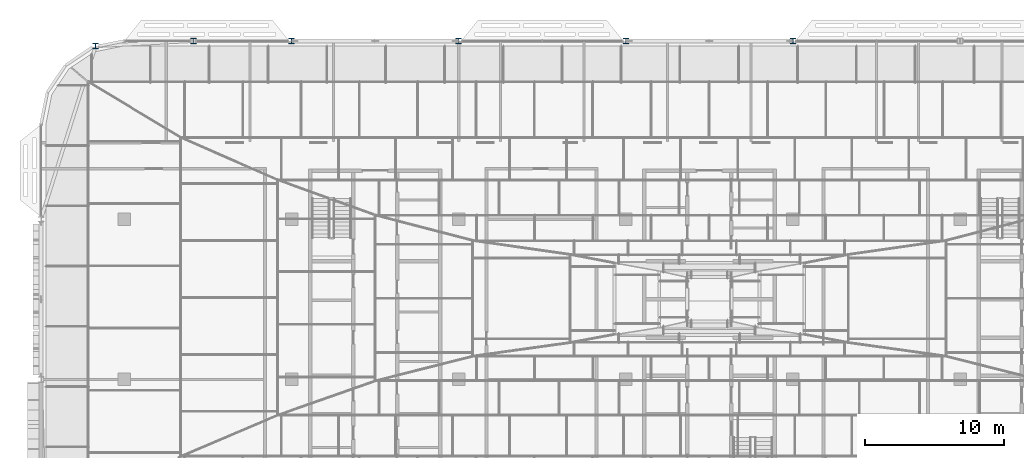
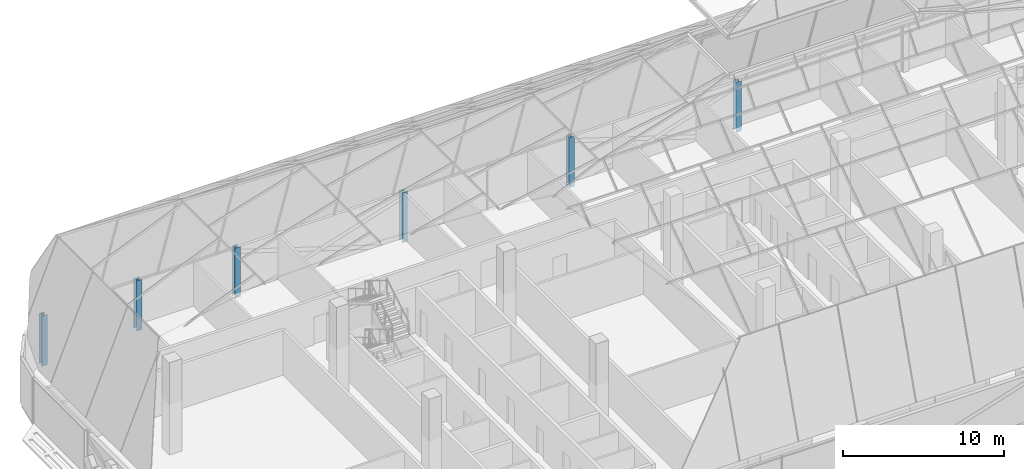
# One storey, part 3 of 39: 6 columns.
"""IFC4 building model written with IfcOpenShell, lengths in metres."""

from ifc_helpers import new_model, si_unit, direction, frame, origin, origin_2d, place, context, subcontext, project, spatial, i_section, extrude, material, material_profile, profile_set, type_object, element, save


model = new_model("IFC4")

# Units and contexts
model_context = context("Model", 3, precision=1e-05, world=origin(), true_north=direction((0.0, 1.0)))
body_context = subcontext(model_context, "Body", "Model", "MODEL_VIEW")
ifc_project = project(units=[si_unit("LENGTHUNIT", "METRE"), si_unit("AREAUNIT", "SQUARE_METRE"), si_unit("VOLUMEUNIT", "CUBIC_METRE"), si_unit("PLANEANGLEUNIT", "RADIAN"), si_unit("MASSUNIT", "GRAM", prefix="KILO")], contexts=[model_context])

# Site, building, storey
site_placement = place(None, origin())
site = spatial("IfcSite", under=ifc_project, at=site_placement, CompositionType="ELEMENT")
building_placement = place(site_placement, origin())
building = spatial("IfcBuilding", under=site, at=building_placement, Name="Mahtab Terrace Research Tower", CompositionType="ELEMENT")
storey_placement = place(building_placement, frame((0.0, 0.0, 282.300048828125)))
storey = spatial("IfcBuildingStorey", under=building, at=storey_placement, Name="L69", CompositionType="ELEMENT", Elevation=282.300048828125)

# Columns
ifc_material = material(Name="Steel ASTM A992 Gr 50", Category="steel")
ifc_material_profile = material_profile(ifc_material, i_section(OverallWidth=0.393798828125, OverallDepth=0.3759765625, WebThickness=0.017333984375, FlangeThickness=0.027587890625, at=origin_2d()), Name="W14X145")
ifc_profile_set = profile_set([ifc_material_profile], Name="Steel ASTM A992 Gr 50")
column_type = type_object("IfcColumnType", Name="W14x145 column CS14145", PredefinedType="COLUMN", material=ifc_profile_set)
for number, where, z_axis, x_axis, name in (
    (1, (6.0, 24.306884765625, -0.340087890625), (0.0, 0.0, 1.0), (1.0, 0.0, 0.0), "Column SC-074 L69"),
    (2, (-6.0, 24.306884765625, -0.340087890625), (0.0, 0.0, 1.0), (1.0, 0.0, 0.0), "Column SC-075 L69"),
    (3, (-18.0, 24.306884765625, -0.340087890625), (0.0, 0.0, 1.0), (1.0, 0.0, 0.0), "Column SC-076 L69"),
    (4, (-30.0, 24.306884765625, -0.340087890625), (0.0, 0.0, 1.0), (1.0, 0.0, 0.0), "Column SC-077 L69"),
    (5, (-37.05810546875, 24.306884765625, -0.340087890625), (0.0, 0.0, 1.0), (1.0, 0.0, 0.0), "Column SC-078 L69"),
    (6, (-44.072021484375, 23.93701171875, -0.340087890625), (0.0, 0.0, 1.0), (1.0, 0.0, 0.0), "Column SC-079 L69"),
):
    element("IfcColumn", number, at=place(storey_placement, frame(where, z_axis=z_axis, x_axis=x_axis)), inside=storey, type_object=column_type, Name=name, PredefinedType="COLUMN", context=body_context, shape_type="SweptSolid", body=[
        extrude(i_section(OverallWidth=0.393798828125, OverallDepth=0.3759765625, WebThickness=0.017333984375, FlangeThickness=0.027587890625, at=origin_2d()), origin(), (0.0, 0.0, 1.0), 3.800048828125),
    ])

save(model, "model.ifc")
